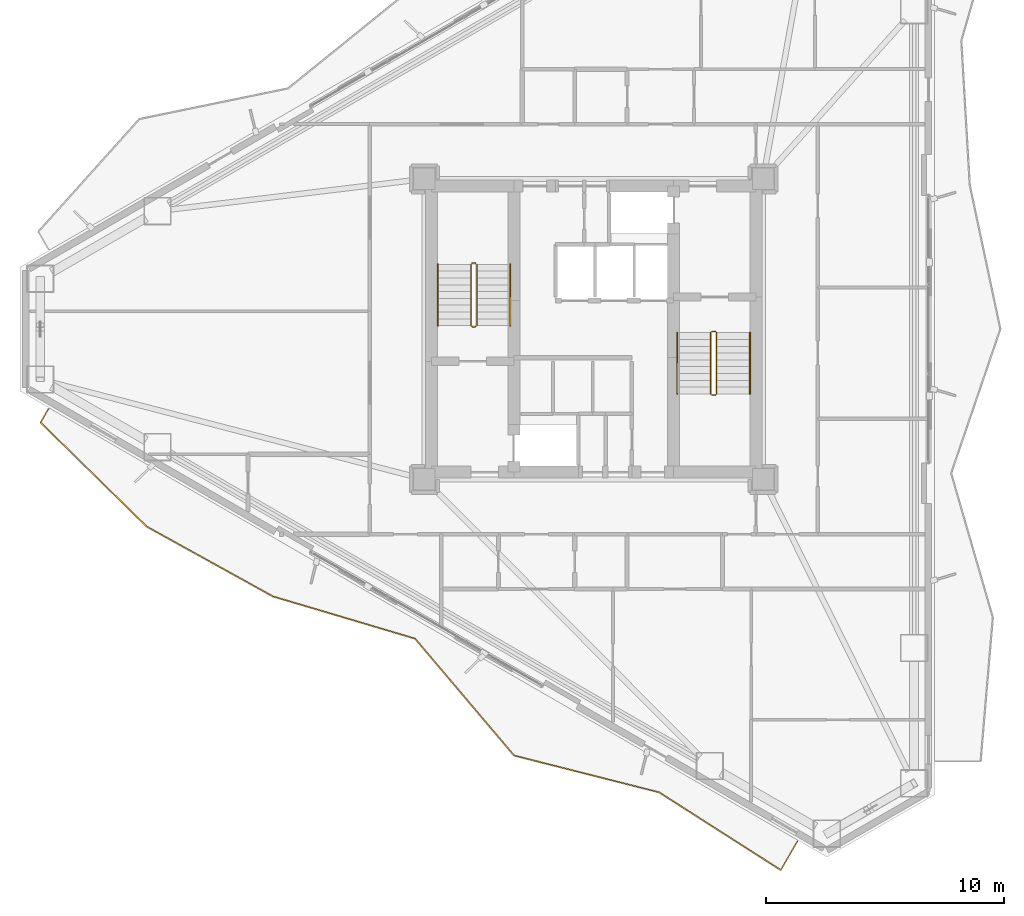
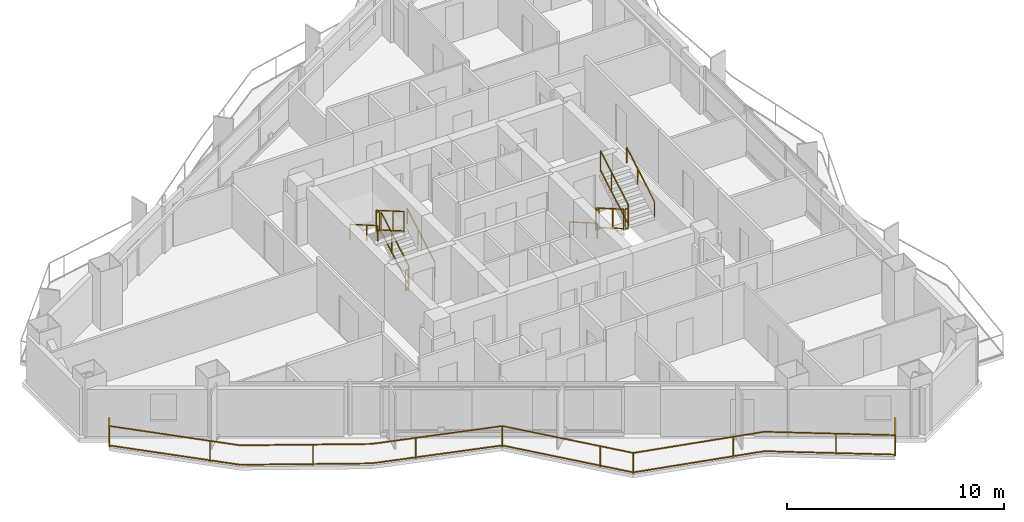
# One storey, part 21 of 22: 13 railings.
"""IFC4 building model written with IfcOpenShell, lengths in metres."""

from ifc_helpers import new_model, si_unit, direction, frame, origin, origin_2d, place, context, subcontext, project, spatial, rectangle, extrude, material, type_object, element, save


model = new_model("IFC4")

# Units and contexts
model_context = context("Model", 3, precision=1e-05, world=origin(), true_north=direction((0.0, 1.0)))
body_context = subcontext(model_context, "Body", "Model", "MODEL_VIEW")
ifc_project = project(units=[si_unit("LENGTHUNIT", "METRE"), si_unit("AREAUNIT", "SQUARE_METRE"), si_unit("VOLUMEUNIT", "CUBIC_METRE"), si_unit("PLANEANGLEUNIT", "RADIAN"), si_unit("MASSUNIT", "GRAM", prefix="KILO")], contexts=[model_context])

# Site, building, storey
site_placement = place(None, origin())
site = spatial("IfcSite", under=ifc_project, at=site_placement, CompositionType="ELEMENT")
building_placement = place(site_placement, origin())
building = spatial("IfcBuilding", under=site, at=building_placement, Name="Mersakhor Tower and Convention Hall", CompositionType="ELEMENT")
storey_placement = place(building_placement, frame((0.0, 0.0, 86.699951171875)))
storey = spatial("IfcBuildingStorey", under=building, at=storey_placement, Name="L23", CompositionType="ELEMENT", Elevation=86.699951171875)

# Railings
ifc_material_1 = material(Name="Powder-coated galvanised steel and laminated glass balustrade", Category="steel")
railing_type_1 = type_object("IfcRailingType", Name="RL-BAL-1200", PredefinedType="BALUSTRADE", material=ifc_material_1)
railing_1_placement = place(storey_placement, frame((6.1240234375, 23.4052734375, 0.0)))
element("IfcRailing", 1, at=railing_1_placement, inside=storey, type_object=railing_type_1, Name="L23 Sinusoidal Balcony Balustrade F3", PredefinedType="BALUSTRADE", context=body_context, shape_type="SweptSolid", body=[
    extrude(rectangle(XDim=0.048095703125, YDim=0.048095703125, at=origin_2d()), frame((0.0, 0.0, 1.17578125), z_axis=(-0.49989585183, -0.866085525409, 0.0), x_axis=(0.866085525409, -0.49989585183, 0.0)), (0.0, 0.0, 1.0), 0.650146484375),
    extrude(rectangle(XDim=0.048095703125, YDim=0.048095703125, at=origin_2d()), frame((0.0, 0.0, 0.080078125), z_axis=(-0.49989585183, -0.866085525409, 0.0), x_axis=(0.866085525409, -0.49989585183, 0.0)), (0.0, 0.0, 1.0), 0.650146484375),
    extrude(rectangle(XDim=0.048095703125, YDim=0.048095703125, at=origin_2d()), frame((-0.324951171875, -0.56298828125, 1.17578125), z_axis=(0.713916445717, -0.700230896587, 0.0), x_axis=(0.700230896587, 0.713916445717, 0.0)), (0.0, 0.0, 1.0), 6.24365234375),
    extrude(rectangle(XDim=0.048095703125, YDim=0.048095703125, at=origin_2d()), frame((-0.324951171875, -0.56298828125, 0.080078125), z_axis=(0.713916445717, -0.700230896587, 0.0), x_axis=(0.700230896587, 0.713916445717, 0.0)), (0.0, 0.0, 1.0), 6.24365234375),
    extrude(rectangle(XDim=0.048095703125, YDim=0.048095703125, at=origin_2d()), frame((4.132568359375, -4.93505859375, 1.17578125), z_axis=(0.875014758497, -0.484096242924, 0.0), x_axis=(0.484096242924, 0.875014758497, 0.0)), (0.0, 0.0, 1.0), 6.04736328125),
    extrude(rectangle(XDim=0.048095703125, YDim=0.048095703125, at=origin_2d()), frame((4.132568359375, -4.93505859375, 0.080078125), z_axis=(0.875014758497, -0.484096242924, 0.0), x_axis=(0.484096242924, 0.875014758497, 0.0)), (0.0, 0.0, 1.0), 6.04736328125),
    extrude(rectangle(XDim=0.048095703125, YDim=0.048095703125, at=origin_2d()), frame((9.424072265625, -7.862548828125, 1.17578125), z_axis=(0.958625602875, -0.284669902718, 0.0), x_axis=(0.284669902718, 0.958625602875, 0.0)), (0.0, 0.0, 1.0), 6.217041015625),
    extrude(rectangle(XDim=0.048095703125, YDim=0.048095703125, at=origin_2d()), frame((9.424072265625, -7.862548828125, 0.080078125), z_axis=(0.958625602875, -0.284669902718, 0.0), x_axis=(0.284669902718, 0.958625602875, 0.0)), (0.0, 0.0, 1.0), 6.217041015625),
    extrude(rectangle(XDim=0.048095703125, YDim=0.048095703125, at=origin_2d()), frame((15.3837890625, -9.63232421875, 1.17578125), z_axis=(0.646213090612, -0.763157022848, 0.0), x_axis=(0.763157022848, 0.646213090612, 0.0)), (0.0, 0.0, 1.0), 6.423828125),
    extrude(rectangle(XDim=0.048095703125, YDim=0.048095703125, at=origin_2d()), frame((15.3837890625, -9.63232421875, 0.080078125), z_axis=(0.646213090612, -0.763157022848, 0.0), x_axis=(0.763157022848, 0.646213090612, 0.0)), (0.0, 0.0, 1.0), 6.423828125),
    extrude(rectangle(XDim=0.048095703125, YDim=0.048095703125, at=origin_2d()), frame((19.534912109375, -14.53466796875, 1.17578125), z_axis=(0.969251369471, -0.246072718475, 0.0), x_axis=(0.246072718475, 0.969251369471, 0.0)), (0.0, 0.0, 1.0), 6.2822265625),
    extrude(rectangle(XDim=0.048095703125, YDim=0.048095703125, at=origin_2d()), frame((19.534912109375, -14.53466796875, 0.080078125), z_axis=(0.969251369471, -0.246072718475, 0.0), x_axis=(0.246072718475, 0.969251369471, 0.0)), (0.0, 0.0, 1.0), 6.2822265625),
    extrude(rectangle(XDim=0.048095703125, YDim=0.048095703125, at=origin_2d()), frame((25.6240234375, -16.08056640625, 1.17578125), z_axis=(0.842618470699, -0.538511014593, 0.0), x_axis=(0.538511014593, 0.842618470699, 0.0)), (0.0, 0.0, 1.0), 6.052490234375),
    extrude(rectangle(XDim=0.048095703125, YDim=0.048095703125, at=origin_2d()), frame((25.6240234375, -16.08056640625, 0.080078125), z_axis=(0.842618470699, -0.538511014593, 0.0), x_axis=(0.538511014593, 0.842618470699, 0.0)), (0.0, 0.0, 1.0), 6.052490234375),
    extrude(rectangle(XDim=0.048095703125, YDim=0.048095703125, at=origin_2d()), frame((30.723876953125, -19.33984375, 1.17578125), z_axis=(0.499925626596, 0.866068339032, 0.0), x_axis=(-0.866068339032, 0.499925626596, 0.0)), (0.0, 0.0, 1.0), 1.386962890625),
    extrude(rectangle(XDim=0.048095703125, YDim=0.048095703125, at=origin_2d()), frame((30.723876953125, -19.33984375, 0.080078125), z_axis=(0.499925626596, 0.866068339032, 0.0), x_axis=(-0.866068339032, 0.499925626596, 0.0)), (0.0, 0.0, 1.0), 1.386962890625),
    extrude(rectangle(XDim=0.0419921875, YDim=0.0419921875, at=origin_2d()), origin(), (0.0, 0.0, 1.0), 1.15185546875),
    extrude(rectangle(XDim=0.0419921875, YDim=0.0419921875, at=origin_2d()), frame((-0.324951171875, -0.56298828125, 0.0)), (0.0, 0.0, 1.0), 1.15185546875),
    extrude(rectangle(XDim=0.0419921875, YDim=0.0419921875, at=origin_2d()), frame((3.101806640625, -3.924072265625, 0.0)), (0.0, 0.0, 1.0), 1.15185546875),
    extrude(rectangle(XDim=0.0419921875, YDim=0.0419921875, at=origin_2d()), frame((7.0693359375, -6.559814453125, 0.0)), (0.0, 0.0, 1.0), 1.15185546875),
    extrude(rectangle(XDim=0.0419921875, YDim=0.0419921875, at=origin_2d()), frame((11.44580078125, -8.462890625, 0.0)), (0.0, 0.0, 1.0), 1.15185546875),
    extrude(rectangle(XDim=0.0419921875, YDim=0.0419921875, at=origin_2d()), frame((15.3837890625, -9.63232421875, 0.0)), (0.0, 0.0, 1.0), 1.15185546875),
    extrude(rectangle(XDim=0.0419921875, YDim=0.0419921875, at=origin_2d()), frame((18.485595703125, -13.29541015625, 0.0)), (0.0, 0.0, 1.0), 1.15185546875),
    extrude(rectangle(XDim=0.0419921875, YDim=0.0419921875, at=origin_2d()), frame((19.534912109375, -14.53466796875, 0.0)), (0.0, 0.0, 1.0), 1.15185546875),
    extrude(rectangle(XDim=0.0419921875, YDim=0.0419921875, at=origin_2d()), frame((24.187255859375, -15.7158203125, 0.0)), (0.0, 0.0, 1.0), 1.15185546875),
    extrude(rectangle(XDim=0.0419921875, YDim=0.0419921875, at=origin_2d()), frame((28.419677734375, -17.8671875, 0.0)), (0.0, 0.0, 1.0), 1.15185546875),
    extrude(rectangle(XDim=0.0419921875, YDim=0.0419921875, at=origin_2d()), frame((30.723876953125, -19.33984375, 0.0)), (0.0, 0.0, 1.0), 1.15185546875),
    extrude(rectangle(XDim=0.0419921875, YDim=0.0419921875, at=origin_2d()), frame((31.417236328125, -18.138671875, 0.0)), (0.0, 0.0, 1.0), 1.15185546875),
])
ifc_material_2 = material(Name="Brushed stainless steel handrail", Category="steel")
railing_type_2 = type_object("IfcRailingType", Name="RL-HR-900", PredefinedType="HANDRAIL", material=ifc_material_2)
railing_2_placement = place(storey_placement, frame((25.5, 26.89990234375, 0.1650390625)))
element("IfcRailing", 2, at=railing_2_placement, inside=storey, type_object=railing_type_2, Name="L23 ST-1 stair handrail 1", PredefinedType="HANDRAIL", context=body_context, shape_type="SweptSolid", body=[
    extrude(rectangle(XDim=0.048095703125, YDim=0.048095703125, at=origin_2d()), frame((0.0, 0.0, 0.8759765625), z_axis=(0.0, 0.865426285481, 0.501036270542), x_axis=(-1.0, 0.0, 0.0)), (0.0, 0.0, 1.0), 2.964111328125),
    extrude(rectangle(XDim=0.0419921875, YDim=0.0419921875, at=origin_2d()), origin(), (0.0, 0.0, 1.0), 0.851806640625),
    extrude(rectangle(XDim=0.0419921875, YDim=0.0419921875, at=origin_2d()), frame((0.0, 1.557861328125, 0.90185546875)), (0.0, 0.0, 1.0), 0.851806640625),
    extrude(rectangle(XDim=0.0419921875, YDim=0.0419921875, at=origin_2d()), frame((0.0, 2.565185546875, 1.485107421875)), (0.0, 0.0, 1.0), 0.851806640625),
])
for number, where, name in (
    (3, (22.449951171875, 29.465087890625, 1.81494140625), "L23 ST-1 stair handrail 2"),
    (4, (32.5, 26.60009765625, 0.1650390625), "L23 ST-2 stair handrail 1"),
):
    element("IfcRailing", number, at=place(storey_placement, frame(where)), inside=storey, type_object=railing_type_2, Name=name, PredefinedType="HANDRAIL", context=body_context, shape_type="SweptSolid", body=[
        extrude(rectangle(XDim=0.048095703125, YDim=0.048095703125, at=origin_2d()), frame((0.0, 0.0, 0.8759765625), z_axis=(0.0, -0.865426285481, 0.501036270542), x_axis=(1.0, 0.0, 0.0)), (0.0, 0.0, 1.0), 2.964111328125),
        extrude(rectangle(XDim=0.0419921875, YDim=0.0419921875, at=origin_2d()), origin(), (0.0, 0.0, 1.0), 0.851806640625),
        extrude(rectangle(XDim=0.0419921875, YDim=0.0419921875, at=origin_2d()), frame((0.0, -1.557861328125, 0.90185546875)), (0.0, 0.0, 1.0), 0.851806640625),
        extrude(rectangle(XDim=0.0419921875, YDim=0.0419921875, at=origin_2d()), frame((0.0, -2.565185546875, 1.485107421875)), (0.0, 0.0, 1.0), 0.851806640625),
    ])
railing_3_placement = place(storey_placement, frame((35.550048828125, 24.034912109375, 1.81494140625)))
element("IfcRailing", 5, at=railing_3_placement, inside=storey, type_object=railing_type_2, Name="L23 ST-2 stair handrail 2", PredefinedType="HANDRAIL", context=body_context, shape_type="SweptSolid", body=[
    extrude(rectangle(XDim=0.048095703125, YDim=0.048095703125, at=origin_2d()), frame((0.0, 0.0, 0.8759765625), z_axis=(0.0, 0.865426285481, 0.501036270542), x_axis=(-1.0, 0.0, 0.0)), (0.0, 0.0, 1.0), 2.964111328125),
    extrude(rectangle(XDim=0.0419921875, YDim=0.0419921875, at=origin_2d()), origin(), (0.0, 0.0, 1.0), 0.851806640625),
    extrude(rectangle(XDim=0.0419921875, YDim=0.0419921875, at=origin_2d()), frame((0.0, 1.557861328125, 0.90185546875)), (0.0, 0.0, 1.0), 0.851806640625),
    extrude(rectangle(XDim=0.0419921875, YDim=0.0419921875, at=origin_2d()), frame((0.0, 2.565185546875, 1.485107421875)), (0.0, 0.0, 1.0), 0.851806640625),
])
ifc_material_3 = material(Name="Painted steel stair balustrade S355", Category="steel")
railing_type_3 = type_object("IfcRailingType", Name="RL-STG-1200", PredefinedType="BALUSTRADE", material=ifc_material_3)
railing_4_placement = place(storey_placement, frame((24.10009765625, 26.89990234375, 0.1650390625)))
element("IfcRailing", 6, at=railing_4_placement, inside=storey, type_object=railing_type_3, Name="L23 ST-1 stair guard 1", PredefinedType="BALUSTRADE", context=body_context, shape_type="SweptSolid", body=[
    extrude(rectangle(XDim=0.048095703125, YDim=0.048095703125, at=origin_2d()), frame((0.0, 0.0, 1.17578125), z_axis=(0.0, 0.865426285481, 0.501036270542), x_axis=(-1.0, 0.0, 0.0)), (0.0, 0.0, 1.0), 2.964111328125),
    extrude(rectangle(XDim=0.048095703125, YDim=0.048095703125, at=origin_2d()), frame((0.0, 0.0, 0.080078125), z_axis=(0.0, 0.865426285481, 0.501036270542), x_axis=(-1.0, 0.0, 0.0)), (0.0, 0.0, 1.0), 2.964111328125),
    extrude(rectangle(XDim=0.0419921875, YDim=0.0419921875, at=origin_2d()), origin(), (0.0, 0.0, 1.0), 1.15185546875),
    extrude(rectangle(XDim=0.0419921875, YDim=0.0419921875, at=origin_2d()), frame((0.0, 1.557861328125, 0.90185546875)), (0.0, 0.0, 1.0), 1.15185546875),
    extrude(rectangle(XDim=0.0419921875, YDim=0.0419921875, at=origin_2d()), frame((0.0, 2.565185546875, 1.485107421875)), (0.0, 0.0, 1.0), 1.15185546875),
])
railing_5_placement = place(storey_placement, frame((24.050048828125, 29.514892578125, 1.650146484375)))
element("IfcRailing", 7, at=railing_5_placement, inside=storey, type_object=railing_type_3, Name="L23 ST-1 stair guard 2", PredefinedType="BALUSTRADE", context=body_context, shape_type="SweptSolid", body=[
    extrude(rectangle(XDim=0.048095703125, YDim=0.048095703125, at=origin_2d()), frame((0.0, 0.0, 1.17578125), z_axis=(-1.0, 0.0, 0.0), x_axis=(0.0, -1.0, 0.0)), (0.0, 0.0, 1.0), 0.150146484375),
    extrude(rectangle(XDim=0.048095703125, YDim=0.048095703125, at=origin_2d()), frame((0.0, 0.0, 0.080078125), z_axis=(-1.0, 0.0, 0.0), x_axis=(0.0, -1.0, 0.0)), (0.0, 0.0, 1.0), 0.150146484375),
    extrude(rectangle(XDim=0.0419921875, YDim=0.0419921875, at=origin_2d()), origin(), (0.0, 0.0, 1.0), 1.15185546875),
    extrude(rectangle(XDim=0.0419921875, YDim=0.0419921875, at=origin_2d()), frame((-0.150146484375, 0.0, 0.0)), (0.0, 0.0, 1.0), 1.15185546875),
])
railing_6_placement = place(storey_placement, frame((23.85009765625, 29.465087890625, 1.81494140625)))
element("IfcRailing", 8, at=railing_6_placement, inside=storey, type_object=railing_type_3, Name="L23 ST-1 stair guard 3", PredefinedType="BALUSTRADE", context=body_context, shape_type="SweptSolid", body=[
    extrude(rectangle(XDim=0.048095703125, YDim=0.048095703125, at=origin_2d()), frame((0.0, 0.0, 1.17578125), z_axis=(0.0, -0.865426285481, 0.501036270542), x_axis=(1.0, 0.0, 0.0)), (0.0, 0.0, 1.0), 2.964111328125),
    extrude(rectangle(XDim=0.048095703125, YDim=0.048095703125, at=origin_2d()), frame((0.0, 0.0, 0.080078125), z_axis=(0.0, -0.865426285481, 0.501036270542), x_axis=(1.0, 0.0, 0.0)), (0.0, 0.0, 1.0), 2.964111328125),
    extrude(rectangle(XDim=0.0419921875, YDim=0.0419921875, at=origin_2d()), origin(), (0.0, 0.0, 1.0), 1.15185546875),
    extrude(rectangle(XDim=0.0419921875, YDim=0.0419921875, at=origin_2d()), frame((0.0, -1.557861328125, 0.90185546875)), (0.0, 0.0, 1.0), 1.15185546875),
    extrude(rectangle(XDim=0.0419921875, YDim=0.0419921875, at=origin_2d()), frame((0.0, -2.565185546875, 1.485107421875)), (0.0, 0.0, 1.0), 1.15185546875),
])
railing_7_placement = place(storey_placement, frame((24.050048828125, 26.85009765625, 0.0)))
element("IfcRailing", 9, at=railing_7_placement, inside=storey, type_object=railing_type_3, Name="L23 ST-1 stair guard 4", PredefinedType="BALUSTRADE", context=body_context, shape_type="SweptSolid", body=[
    extrude(rectangle(XDim=0.048095703125, YDim=0.048095703125, at=origin_2d()), frame((0.0, 0.0, 1.17578125), z_axis=(-1.0, 0.0, 0.0), x_axis=(0.0, -1.0, 0.0)), (0.0, 0.0, 1.0), 0.150146484375),
    extrude(rectangle(XDim=0.048095703125, YDim=0.048095703125, at=origin_2d()), frame((0.0, 0.0, 0.080078125), z_axis=(-1.0, 0.0, 0.0), x_axis=(0.0, -1.0, 0.0)), (0.0, 0.0, 1.0), 0.150146484375),
    extrude(rectangle(XDim=0.0419921875, YDim=0.0419921875, at=origin_2d()), origin(), (0.0, 0.0, 1.0), 1.15185546875),
    extrude(rectangle(XDim=0.0419921875, YDim=0.0419921875, at=origin_2d()), frame((-0.150146484375, 0.0, 0.0)), (0.0, 0.0, 1.0), 1.15185546875),
])
railing_8_placement = place(storey_placement, frame((33.89990234375, 26.60009765625, 0.1650390625)))
element("IfcRailing", 10, at=railing_8_placement, inside=storey, type_object=railing_type_3, Name="L23 ST-2 stair guard 1", PredefinedType="BALUSTRADE", context=body_context, shape_type="SweptSolid", body=[
    extrude(rectangle(XDim=0.048095703125, YDim=0.048095703125, at=origin_2d()), frame((0.0, 0.0, 1.17578125), z_axis=(0.0, -0.865426285481, 0.501036270542), x_axis=(1.0, 0.0, 0.0)), (0.0, 0.0, 1.0), 2.964111328125),
    extrude(rectangle(XDim=0.048095703125, YDim=0.048095703125, at=origin_2d()), frame((0.0, 0.0, 0.080078125), z_axis=(0.0, -0.865426285481, 0.501036270542), x_axis=(1.0, 0.0, 0.0)), (0.0, 0.0, 1.0), 2.964111328125),
    extrude(rectangle(XDim=0.0419921875, YDim=0.0419921875, at=origin_2d()), origin(), (0.0, 0.0, 1.0), 1.15185546875),
    extrude(rectangle(XDim=0.0419921875, YDim=0.0419921875, at=origin_2d()), frame((0.0, -1.557861328125, 0.90185546875)), (0.0, 0.0, 1.0), 1.15185546875),
    extrude(rectangle(XDim=0.0419921875, YDim=0.0419921875, at=origin_2d()), frame((0.0, -2.565185546875, 1.485107421875)), (0.0, 0.0, 1.0), 1.15185546875),
])
railing_9_placement = place(storey_placement, frame((33.949951171875, 23.985107421875, 1.650146484375)))
element("IfcRailing", 11, at=railing_9_placement, inside=storey, type_object=railing_type_3, Name="L23 ST-2 stair guard 2", PredefinedType="BALUSTRADE", context=body_context, shape_type="SweptSolid", body=[
    extrude(rectangle(XDim=0.048095703125, YDim=0.048095703125, at=origin_2d()), frame((0.0, 0.0, 1.17578125), z_axis=(1.0, 0.0, 0.0), x_axis=(0.0, 1.0, 0.0)), (0.0, 0.0, 1.0), 0.150146484375),
    extrude(rectangle(XDim=0.048095703125, YDim=0.048095703125, at=origin_2d()), frame((0.0, 0.0, 0.080078125), z_axis=(1.0, 0.0, 0.0), x_axis=(0.0, 1.0, 0.0)), (0.0, 0.0, 1.0), 0.150146484375),
    extrude(rectangle(XDim=0.0419921875, YDim=0.0419921875, at=origin_2d()), origin(), (0.0, 0.0, 1.0), 1.15185546875),
    extrude(rectangle(XDim=0.0419921875, YDim=0.0419921875, at=origin_2d()), frame((0.150146484375, 0.0, 0.0)), (0.0, 0.0, 1.0), 1.15185546875),
])
railing_10_placement = place(storey_placement, frame((34.14990234375, 24.034912109375, 1.81494140625)))
element("IfcRailing", 12, at=railing_10_placement, inside=storey, type_object=railing_type_3, Name="L23 ST-2 stair guard 3", PredefinedType="BALUSTRADE", context=body_context, shape_type="SweptSolid", body=[
    extrude(rectangle(XDim=0.048095703125, YDim=0.048095703125, at=origin_2d()), frame((0.0, 0.0, 1.17578125), z_axis=(0.0, 0.865426285481, 0.501036270542), x_axis=(-1.0, 0.0, 0.0)), (0.0, 0.0, 1.0), 2.964111328125),
    extrude(rectangle(XDim=0.048095703125, YDim=0.048095703125, at=origin_2d()), frame((0.0, 0.0, 0.080078125), z_axis=(0.0, 0.865426285481, 0.501036270542), x_axis=(-1.0, 0.0, 0.0)), (0.0, 0.0, 1.0), 2.964111328125),
    extrude(rectangle(XDim=0.0419921875, YDim=0.0419921875, at=origin_2d()), origin(), (0.0, 0.0, 1.0), 1.15185546875),
    extrude(rectangle(XDim=0.0419921875, YDim=0.0419921875, at=origin_2d()), frame((0.0, 1.557861328125, 0.90185546875)), (0.0, 0.0, 1.0), 1.15185546875),
    extrude(rectangle(XDim=0.0419921875, YDim=0.0419921875, at=origin_2d()), frame((0.0, 2.565185546875, 1.485107421875)), (0.0, 0.0, 1.0), 1.15185546875),
])
railing_11_placement = place(storey_placement, frame((33.949951171875, 26.64990234375, 0.0)))
element("IfcRailing", 13, at=railing_11_placement, inside=storey, type_object=railing_type_3, Name="L23 ST-2 stair guard 4", PredefinedType="BALUSTRADE", context=body_context, shape_type="SweptSolid", body=[
    extrude(rectangle(XDim=0.048095703125, YDim=0.048095703125, at=origin_2d()), frame((0.0, 0.0, 1.17578125), z_axis=(1.0, 0.0, 0.0), x_axis=(0.0, 1.0, 0.0)), (0.0, 0.0, 1.0), 0.150146484375),
    extrude(rectangle(XDim=0.048095703125, YDim=0.048095703125, at=origin_2d()), frame((0.0, 0.0, 0.080078125), z_axis=(1.0, 0.0, 0.0), x_axis=(0.0, 1.0, 0.0)), (0.0, 0.0, 1.0), 0.150146484375),
    extrude(rectangle(XDim=0.0419921875, YDim=0.0419921875, at=origin_2d()), origin(), (0.0, 0.0, 1.0), 1.15185546875),
    extrude(rectangle(XDim=0.0419921875, YDim=0.0419921875, at=origin_2d()), frame((0.150146484375, 0.0, 0.0)), (0.0, 0.0, 1.0), 1.15185546875),
])

save(model, "model.ifc")
